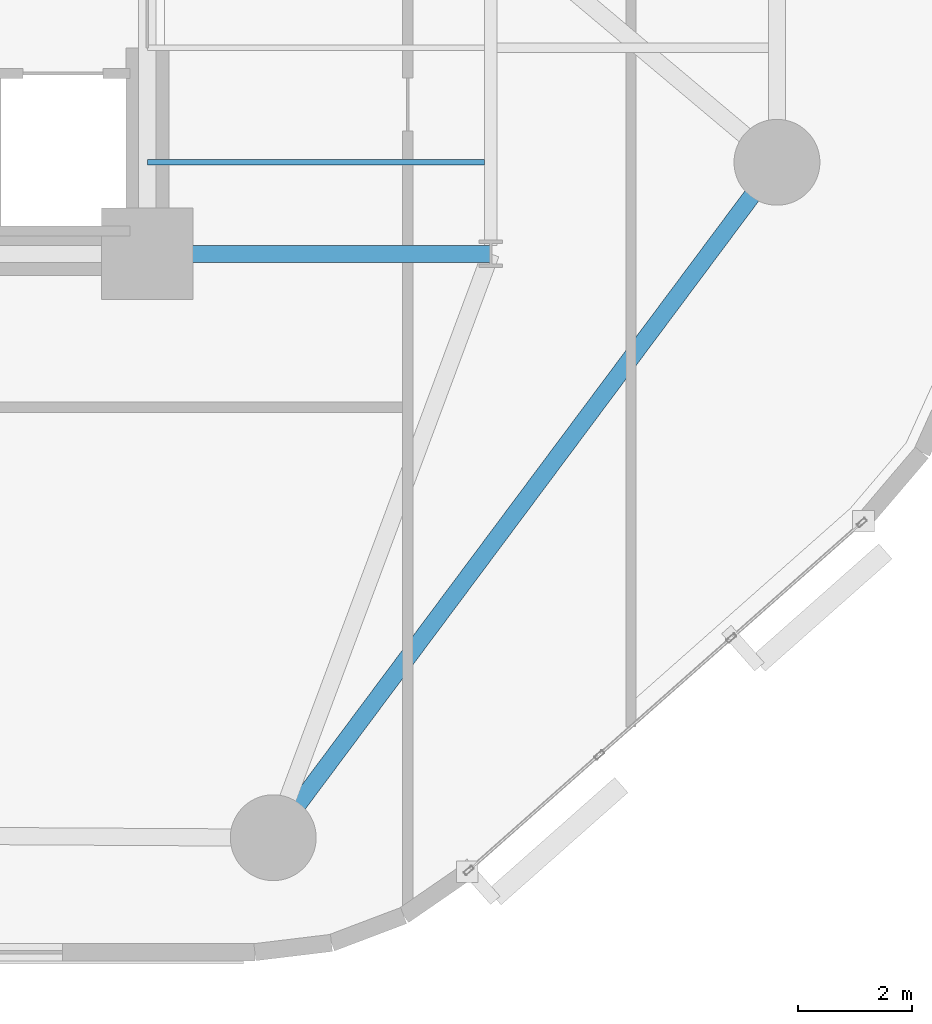
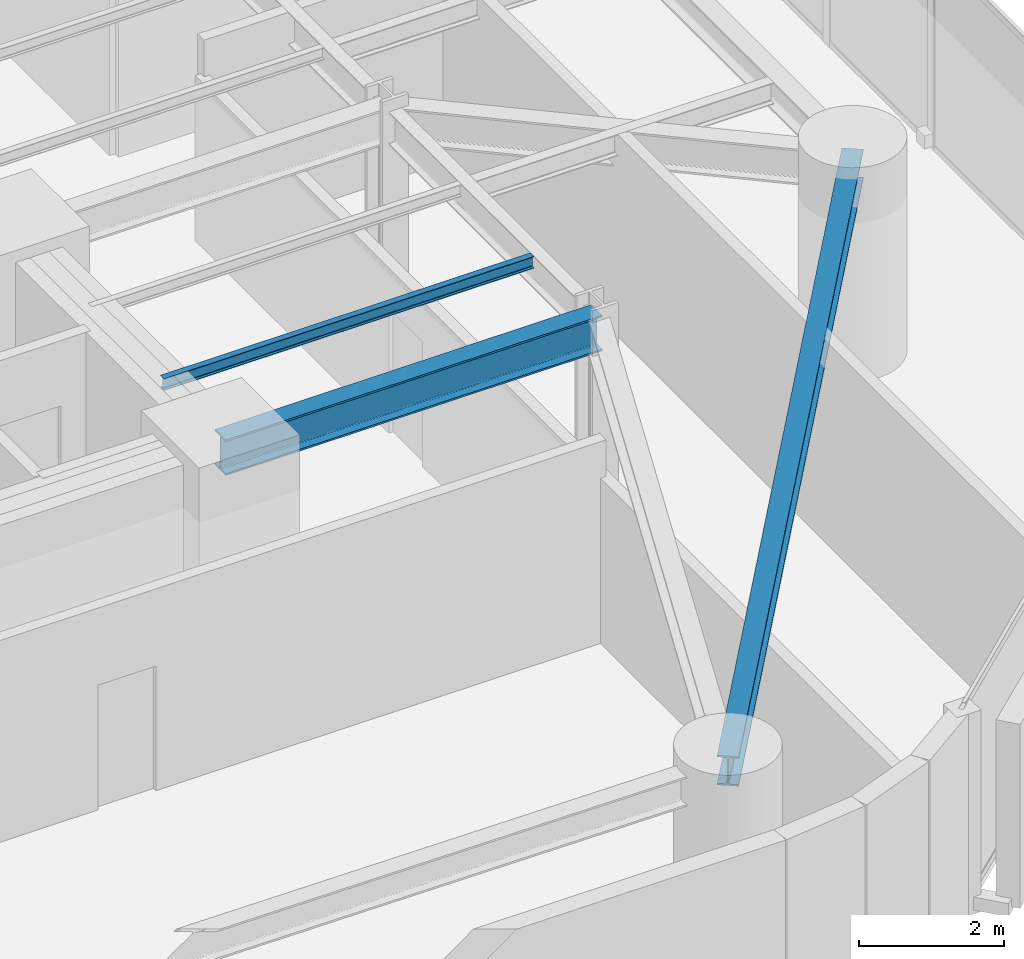
# One storey, part 3 of 15: 3 beams.
"""IFC4 building model written with IfcOpenShell, lengths in metres."""

import ifcopenshell
import ifcopenshell.guid

model = None  # the IFC model being written
_history = None  # IfcOwnerHistory: only IFC2X3 demands one
_inside = {}  # id of a spatial element -> (the spatial element, [elements in it])
_under = {}  # id of a project, library or spatial element -> (it, [spatial elements below it])
_declared = {}  # id of a project -> (the project, [libraries it declares])
_typed = {}  # id of a type object -> (the type object, [elements of that type])
_made_of = {}  # id of a material, layer set ... -> (it, [elements and type objects made of it])


def new_model(schema):
    """Start an empty IFC model of exactly this schema.

    Asked for "IFC4X3", IfcOpenShell would pick the latest addendum, in which some entities
    have other attributes; the version numbers below select the first issue.
    IFC2X3 requires an IfcOwnerHistory on every rooted entity: one is made here for all.
    """
    global model, _history
    if schema == "IFC4X3":
        model = ifcopenshell.file(schema_version=(4, 3, 0, 0))
    else:
        model = ifcopenshell.file(schema=schema)
    _inside.clear()
    _under.clear()
    _declared.clear()
    _typed.clear()
    _made_of.clear()
    _history = None
    if model.schema == "IFC2X3":
        org = make("IfcOrganization", Name="unknown")
        user = make(
            "IfcPersonAndOrganization",
            ThePerson=make("IfcPerson", FamilyName="unknown"),
            TheOrganization=org,
        )
        app = make(
            "IfcApplication",
            ApplicationDeveloper=org,
            Version="unknown",
            ApplicationFullName="unknown",
            ApplicationIdentifier="unknown",
        )
        _history = make(
            "IfcOwnerHistory",
            OwningUser=user,
            OwningApplication=app,
            ChangeAction="ADDED",
            CreationDate=0,
        )
    return model


def make(cls, **values):
    """One entity of the class cls with the attributes given. An attribute that is None is left unset."""
    return model.create_entity(
        cls, **{name: value for name, value in values.items() if value is not None}
    )


def rooted(cls, **values):
    """An entity with a GlobalId (a new one), such as an element, a storey or a relation."""
    return make(cls, GlobalId=ifcopenshell.guid.new(), OwnerHistory=_history, **values)


def si_unit(unit_type, name, prefix=None):
    """IfcSIUnit, for example si_unit("LENGTHUNIT", "METRE", prefix="MILLI")."""
    return make("IfcSIUnit", UnitType=unit_type, Prefix=prefix, Name=name)


def assignment(units):
    """IfcUnitAssignment: the units of a project."""
    return None if units is None else make("IfcUnitAssignment", Units=units)


def point(xyz):
    """IfcCartesianPoint."""
    return None if xyz is None else make("IfcCartesianPoint", Coordinates=xyz)


def direction(xyz):
    """IfcDirection."""
    return None if xyz is None else make("IfcDirection", DirectionRatios=xyz)


def frame(location, z_axis=None, x_axis=None):
    """IfcAxis2Placement3D, a coordinate frame: its origin and axes. An axis left out is left unset."""
    return make(
        "IfcAxis2Placement3D",
        Location=point(location),
        Axis=direction(z_axis),
        RefDirection=direction(x_axis),
    )


def frame_2d(location, x_axis=None):
    """IfcAxis2Placement2D, a coordinate frame in the plane: its origin and x axis."""
    return make(
        "IfcAxis2Placement2D", Location=point(location), RefDirection=direction(x_axis)
    )


def origin():
    """The frame at (0, 0, 0) with its axes left unset."""
    return frame((0.0, 0.0, 0.0))


def origin_2d():
    """The frame at (0, 0) in the plane with its x axis left unset."""
    return frame_2d((0.0, 0.0))


def place(relative_to, where):
    """IfcLocalPlacement: puts the frame where relative to a parent placement (None: the world)."""
    return make(
        "IfcLocalPlacement", PlacementRelTo=relative_to, RelativePlacement=where
    )


def context(
    kind, dimensions, precision=None, world=None, true_north=None, identifier=None
):
    """IfcGeometricRepresentationContext, for example the 3D "Model" context."""
    return make(
        "IfcGeometricRepresentationContext",
        ContextIdentifier=identifier,
        ContextType=kind,
        CoordinateSpaceDimension=dimensions,
        Precision=precision,
        WorldCoordinateSystem=world,
        TrueNorth=true_north,
    )


def subcontext(parent, identifier, kind, view, scale=None):
    """IfcGeometricRepresentationSubContext, for example "Body" below "Model"."""
    return make(
        "IfcGeometricRepresentationSubContext",
        ContextIdentifier=identifier,
        ContextType=kind,
        ParentContext=parent,
        TargetScale=scale,
        TargetView=view,
    )


def project(units=None, contexts=None):
    """IfcProject with its units and contexts."""
    return rooted(
        "IfcProject",
        Name="project",
        RepresentationContexts=contexts,
        UnitsInContext=assignment(units),
    )


def spatial(cls, under=None, at=None, **own):
    """A site, building, storey or space (cls), placed at a placement, below another one or the project."""
    s = rooted(cls, ObjectPlacement=at, **own)
    if under is not None:
        _under.setdefault(under.id(), (under, []))[1].append(s)
    return s


def profile(cls, at=None, kind="AREA", **sizes):
    """A parametric profile (cls). Its sizes go by their IFC names, for example OverallWidth=200.0."""
    return make(cls, ProfileType=kind, Position=at, **sizes)


def i_section(**sizes):
    """IfcIShapeProfileDef."""
    return profile("IfcIShapeProfileDef", **sizes)


def extrude(swept, where, along, depth):
    """IfcExtrudedAreaSolid: the profile swept, set in the frame where, extruded along a direction by depth."""
    return make(
        "IfcExtrudedAreaSolid",
        SweptArea=swept,
        Position=where,
        ExtrudedDirection=direction(along),
        Depth=depth,
    )


def shape(context_of_items, identifier, shape_type, items):
    """IfcShapeRepresentation: the items that make up one representation, for example the "Body"."""
    return make(
        "IfcShapeRepresentation",
        ContextOfItems=context_of_items,
        RepresentationIdentifier=identifier,
        RepresentationType=shape_type,
        Items=items,
    )


def material(Name=None, Category=None):
    """IfcMaterial."""
    return make("IfcMaterial", Name=Name, Category=Category)


def material_profile(
    of_material, cross_section, Name=None, Category=None, Priority=None
):
    """IfcMaterialProfile: a cross section and its material."""
    return make(
        "IfcMaterialProfile",
        Name=Name,
        Material=of_material,
        Profile=cross_section,
        Priority=Priority,
        Category=Category,
    )


def profile_set(profiles, Name=None, composite=None):
    """IfcMaterialProfileSet."""
    return make(
        "IfcMaterialProfileSet",
        Name=Name,
        MaterialProfiles=profiles,
        CompositeProfile=composite,
    )


def made_of(thing, what):
    """Note that an element or type object is made of a material, layer set ...; save() writes the relation."""
    if what is not None:
        _made_of.setdefault(what.id(), (what, []))[1].append(thing)
    return thing


def type_object(cls, material=None, **own):
    """A type object (cls), such as IfcWallType, which elements share."""
    return made_of(rooted(cls, **own), material)


def element(
    cls,
    number,
    at=None,
    inside=None,
    cuts=None,
    type_object=None,
    material=None,
    context=None,
    identifier="Body",
    shape_type=None,
    held_by="IfcProductDefinitionShape",
    body=None,
    shapes=None,
    **own,
):
    """One element of the class cls, such as IfcWall. Its Tag is "e" and its number.

    at: its placement. inside: the storey or other place that contains it. cuts: it is an
    opening in that element (IfcRelVoidsElement). A single representation is given by context,
    identifier, shape_type and body (its items); several are given by shapes. held_by: the class
    of the entity that holds the representations. save() writes the other relations.
    """
    e = rooted(cls, Tag="e%d" % number, ObjectPlacement=at, **own)
    if body is not None:
        shapes = [shape(context, identifier, shape_type, body)]
    if shapes is not None:
        e.Representation = make(held_by, Representations=shapes)
    if inside is not None:
        _inside.setdefault(inside.id(), (inside, []))[1].append(e)
    if cuts is not None:
        rooted(
            "IfcRelVoidsElement", RelatingBuildingElement=cuts, RelatedOpeningElement=e
        )
    if type_object is not None:
        _typed.setdefault(type_object.id(), (type_object, []))[1].append(e)
    return made_of(e, material)


def aggregate(whole, parts):
    """IfcRelAggregates: a whole, such as a stair, and the parts it consists of."""
    return rooted("IfcRelAggregates", RelatingObject=whole, RelatedObjects=parts)


def save(model, path):
    """Write the relations noted so far, then the file.

    IfcRelAggregates (storeys below a building ...), IfcRelContainedInSpatialStructure (elements
    in a storey), IfcRelDefinesByType, IfcRelAssociatesMaterial and IfcRelDeclares: one each for
    every whole, place, type object, material and project.
    """
    for whole, parts in _under.values():
        aggregate(whole, parts)
    for where, things in _inside.values():
        rooted(
            "IfcRelContainedInSpatialStructure",
            RelatedElements=things,
            RelatingStructure=where,
        )
    for kind, things in _typed.values():
        rooted("IfcRelDefinesByType", RelatedObjects=things, RelatingType=kind)
    for what, things in _made_of.values():
        rooted("IfcRelAssociatesMaterial", RelatedObjects=things, RelatingMaterial=what)
    for by, libraries in _declared.values():
        rooted("IfcRelDeclares", RelatingContext=by, RelatedDefinitions=libraries)
    model.write(path)


model = new_model("IFC4")

# Units and contexts
model_context = context("Model", 3, precision=1e-05, world=origin(), true_north=direction((0.0, 1.0)))
body_context = subcontext(model_context, "Body", "Model", "MODEL_VIEW")
ifc_project = project(units=[si_unit("LENGTHUNIT", "METRE"), si_unit("AREAUNIT", "SQUARE_METRE"), si_unit("VOLUMEUNIT", "CUBIC_METRE"), si_unit("PLANEANGLEUNIT", "RADIAN"), si_unit("MASSUNIT", "GRAM", prefix="KILO")], contexts=[model_context])

# Site, building, storey
site_placement = place(None, origin())
site = spatial("IfcSite", under=ifc_project, at=site_placement, CompositionType="ELEMENT")
building_placement = place(site_placement, origin())
building = spatial("IfcBuilding", under=site, at=building_placement, Name="An Khanh Terracotta Commons", CompositionType="ELEMENT")
storey_placement = place(building_placement, frame((0.0, 0.0, 64.800048828125)))
storey = spatial("IfcBuildingStorey", under=building, at=storey_placement, Name="L17", CompositionType="ELEMENT", Elevation=64.800048828125)

# Beams
ifc_material = material(Name="Steel S355J2", Category="steel")
ifc_material_profile_1 = material_profile(ifc_material, i_section(OverallWidth=0.300048828125, OverallDepth=0.5, WebThickness=0.014404296875, FlangeThickness=0.028076171875, FilletRadius=0.027099609375, at=origin_2d()), Name="HEB500")
ifc_profile_set_1 = profile_set([ifc_material_profile_1], Name="Steel S355J2")
beam_type_1 = type_object("IfcBeamType", Name="BM-HEB500", PredefinedType="BEAM", material=ifc_profile_set_1)
beam_1_placement = place(storey_placement, frame((39.39990234375, 4.199951171875, 3.14990234375), z_axis=(0.59782442166, 0.801627070942, 0.0), x_axis=(-0.801627070942, 0.59782442166, 0.0)))
element("IfcBeam", 1, at=beam_1_placement, inside=storey, type_object=beam_type_1, Name="L17 Perimeter Ring Spandrel 2", PredefinedType="BEAM", context=body_context, shape_type="SweptSolid", body=[
    extrude(i_section(OverallWidth=0.300048828125, OverallDepth=0.5, WebThickness=0.014404296875, FlangeThickness=0.028076171875, FilletRadius=0.027099609375, at=origin_2d()), origin(), (0.0, 0.0, 1.0), 14.72021484375),
])
ifc_material_profile_2 = material_profile(ifc_material, i_section(OverallWidth=0.300048828125, OverallDepth=0.60009765625, WebThickness=0.015380859375, FlangeThickness=0.030029296875, FilletRadius=0.027099609375, at=origin_2d()), Name="HEB600")
ifc_profile_set_2 = profile_set([ifc_material_profile_2], Name="Steel S355J2")
beam_type_2 = type_object("IfcBeamType", Name="BM-HEB600", PredefinedType="BEAM", material=ifc_profile_set_2)
beam_2_placement = place(storey_placement, frame((37.199951171875, 14.39990234375, 3.099853515625), z_axis=(1.0, 0.0, 0.0), x_axis=(0.0, 1.0, 0.0)))
element("IfcBeam", 2, at=beam_2_placement, inside=storey, type_object=beam_type_2, Name="L17 East Primary Floor Girder 1", PredefinedType="BEAM", context=body_context, shape_type="SweptSolid", body=[
    extrude(i_section(OverallWidth=0.300048828125, OverallDepth=0.60009765625, WebThickness=0.015380859375, FlangeThickness=0.030029296875, FilletRadius=0.027099609375, at=origin_2d()), origin(), (0.0, 0.0, 1.0), 6.0),
])
ifc_material_profile_3 = material_profile(ifc_material, i_section(OverallWidth=0.10009765625, OverallDepth=0.199951171875, WebThickness=0.005615234375, FlangeThickness=0.008544921875, FilletRadius=0.011962890625, at=origin_2d()), Name="IPE200")
ifc_profile_set_3 = profile_set([ifc_material_profile_3], Name="Steel S355J2")
beam_type_3 = type_object("IfcBeamType", Name="BM-IPE200", PredefinedType="JOIST", material=ifc_profile_set_3)
beam_3_placement = place(storey_placement, frame((37.199951171875, 16.0, 3.300048828125), z_axis=(1.0, 0.0, 0.0), x_axis=(0.0, 1.0, 0.0)))
element("IfcBeam", 3, at=beam_3_placement, inside=storey, type_object=beam_type_3, Name="L17 Inboard Composite Joist 1", PredefinedType="JOIST", context=body_context, shape_type="SweptSolid", body=[
    extrude(i_section(OverallWidth=0.10009765625, OverallDepth=0.199951171875, WebThickness=0.005615234375, FlangeThickness=0.008544921875, FilletRadius=0.011962890625, at=origin_2d()), origin(), (0.0, 0.0, 1.0), 5.89501953125),
])

save(model, "model.ifc")
